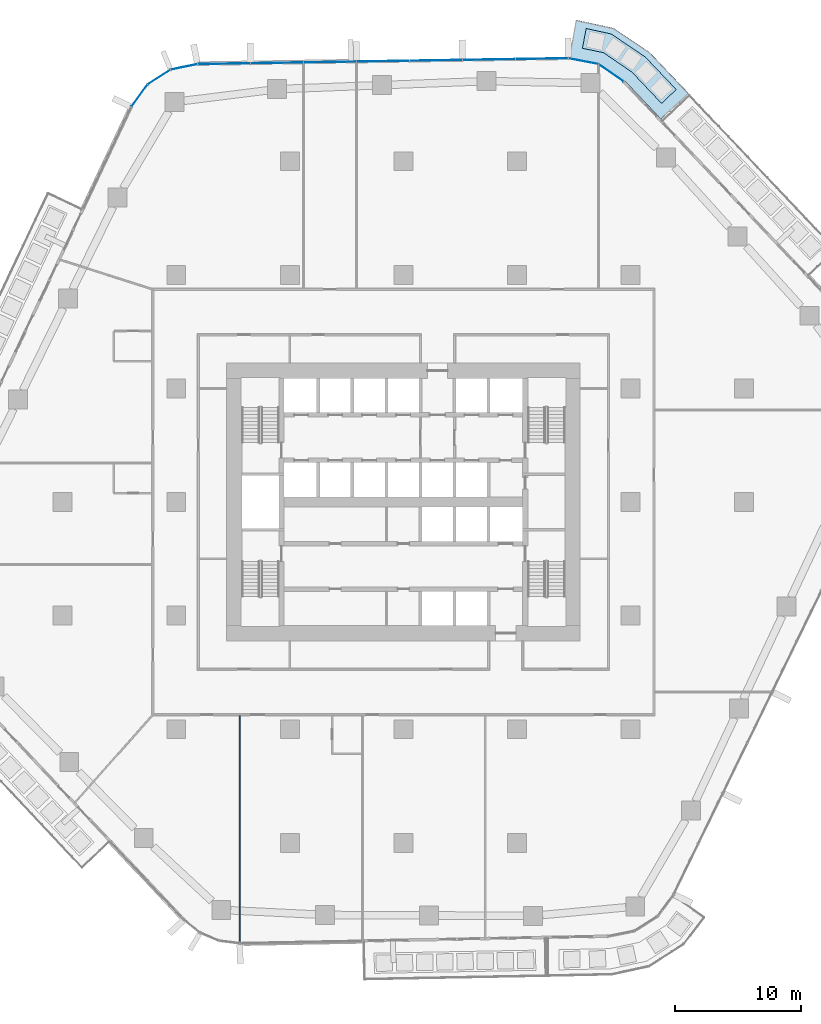
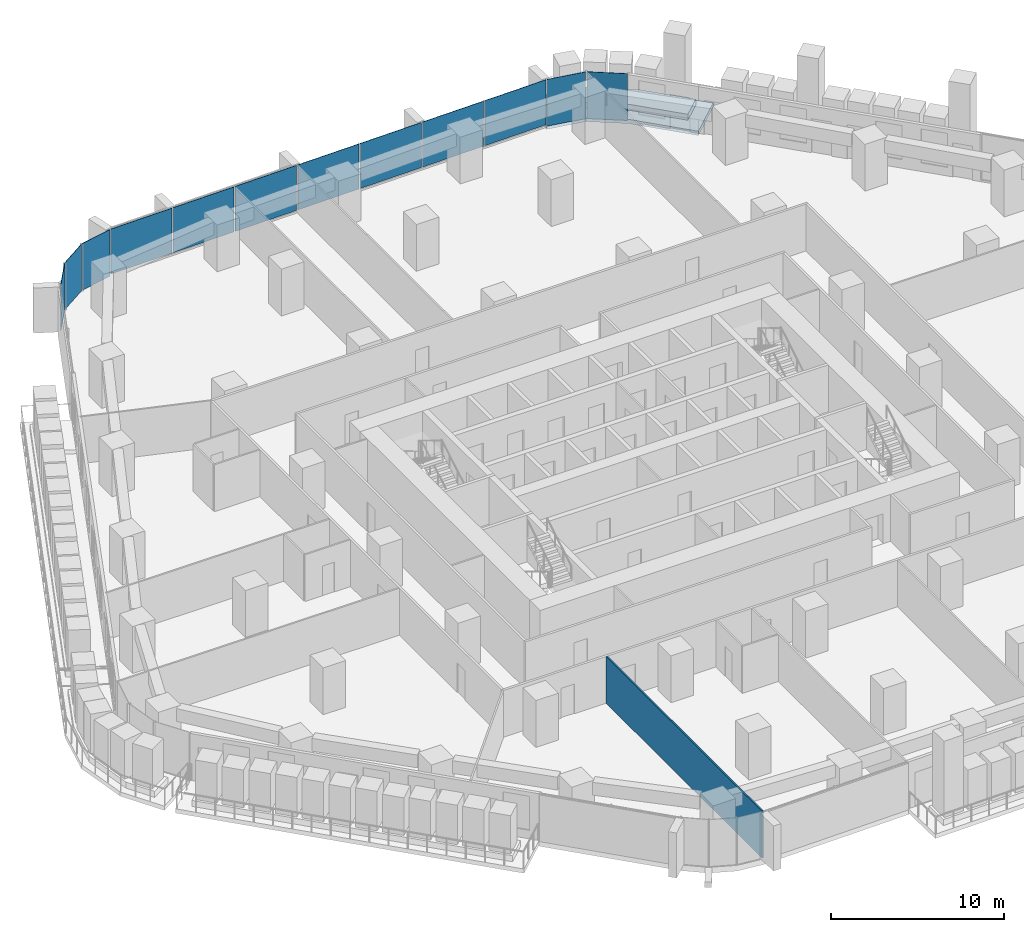
# One storey, part 12 of 25: 12 plates, 2 slabs, 1 wall, 3 elements without a shape of their own.
"""IFC4 building model written with IfcOpenShell, lengths in metres."""

from ifc_helpers import new_model, si_unit, direction, frame, frame_2d, origin, origin_2d, place, context, subcontext, project, spatial, polyline, rectangle, outline, extrude, material, layer, layer_set, type_object, element, aggregate, save


model = new_model("IFC4")

# Units and contexts
model_context = context("Model", 3, precision=1e-05, world=origin(), true_north=direction((0.0, 1.0)))
body_context = subcontext(model_context, "Body", "Model", "MODEL_VIEW")
ifc_project = project(units=[si_unit("LENGTHUNIT", "METRE"), si_unit("AREAUNIT", "SQUARE_METRE"), si_unit("VOLUMEUNIT", "CUBIC_METRE"), si_unit("PLANEANGLEUNIT", "RADIAN"), si_unit("MASSUNIT", "GRAM", prefix="KILO")], contexts=[model_context])

# Site, building, storey
site_placement = place(None, origin())
site = spatial("IfcSite", under=ifc_project, at=site_placement, CompositionType="ELEMENT")
building_placement = place(site_placement, origin())
building = spatial("IfcBuilding", under=site, at=building_placement, Name="Dongbaek Canopy Tower", CompositionType="ELEMENT")
storey_placement = place(building_placement, frame((0.0, 0.0, 81.0)))
storey = spatial("IfcBuildingStorey", under=building, at=storey_placement, Name="L16", CompositionType="ELEMENT", Elevation=81.0)

# Slab
ifc_material_1 = material(Name="Concrete C40/50", Category="concrete")
ifc_layer_1 = layer(ifc_material_1, 0.300048828125)
ifc_layer_set_1 = layer_set([ifc_layer_1], Name="Balcony slab 300")
slab_type_1 = type_object("IfcSlabType", Name="Balcony slab 300", PredefinedType="FLOOR", material=ifc_layer_set_1)
slab_1_placement = place(storey_placement, frame((0.0, 0.0, -0.300048828125)))
element("IfcSlab", 1, at=slab_1_placement, inside=storey, type_object=slab_type_1, Name="Balcony L16 5", PredefinedType="FLOOR", context=body_context, shape_type="SweptSolid", body=[
    extrude(outline(polyline([(20.423828125, 30.3203125), (17.530517578125, 33.380615234375), (15.500732421875, 34.78759765625), (13.125, 35.248291015625), (13.696044921875, 38.193359375), (16.66552734375, 37.55224609375), (19.485595703125, 35.656005859375), (22.603759765625, 32.38134765625), (20.423828125, 30.3203125)])), origin(), (0.0, 0.0, 1.0), 0.300048828125),
])

# Curtain wall, plates
ifc_material_2 = material(Name="Aluminium 6063-T6 pale anodised", Category="aluminium")
ifc_layer_2 = layer(ifc_material_2, 0.199951171875)
ifc_layer_set_2 = layer_set([ifc_layer_2], Name="CW-1 unitised tower curtain wall")
curtain_wall_type = type_object("IfcCurtainWallType", Name="CW-1 unitised tower curtain wall", PredefinedType="NOTDEFINED", material=ifc_layer_set_2)
curtain_wall_1_placement = place(storey_placement, origin())
curtain_wall_1 = element("IfcCurtainWall", 2, at=curtain_wall_1_placement, inside=storey, type_object=curtain_wall_type, Name="CW-1 curtain wall K1.1", PredefinedType="NOTDEFINED")
ifc_material_3 = material(Name="Clear laminated glass", Category="glass")
ifc_layer_3 = layer(ifc_material_3, 0.028076171875)
ifc_layer_set_3 = layer_set([ifc_layer_3], Name="CW-1 glazed panel 28")
plate_type = type_object("IfcPlateType", Name="CW-1 glazed panel 28", PredefinedType="CURTAIN_PANEL", material=ifc_layer_set_3)
plate_1_placement = place(storey_placement, frame((16.462890625, 33.998779296875, 0.0), z_axis=(0.0, 0.0, 1.0), x_axis=(-0.821856706418, 0.56969426372, 0.0)))
plate_1 = element("IfcPlate", 3, at=plate_1_placement, type_object=plate_type, Name="CW-1 panel K1.1.1.1", PredefinedType="CURTAIN_PANEL", context=body_context, shape_type="SweptSolid", body=[
    extrude(rectangle(XDim=2.3544921875, YDim=0.028076171875, at=origin_2d()), origin(), (0.0, 0.0, 1.0), 3.300048828125),
])
plate_2_placement = place(storey_placement, frame((14.263916015625, 34.925537109375, 0.0), z_axis=(0.0, 0.0, 1.0), x_axis=(-0.981714531803, 0.190359076609, 0.0)))
plate_2 = element("IfcPlate", 4, at=plate_2_placement, type_object=plate_type, Name="CW-1 panel K1.1.2.1", PredefinedType="CURTAIN_PANEL", context=body_context, shape_type="SweptSolid", body=[
    extrude(rectangle(XDim=2.3544921875, YDim=0.028076171875, at=origin_2d()), origin(), (0.0, 0.0, 1.0), 3.300048828125),
])
aggregate(curtain_wall_1, [plate_1, plate_2])

curtain_wall_2_placement = place(storey_placement, origin())
curtain_wall_2 = element("IfcCurtainWall", 5, at=curtain_wall_2_placement, inside=storey, type_object=curtain_wall_type, Name="CW-1 curtain wall F1.1", PredefinedType="NOTDEFINED")
plate_3_placement = place(storey_placement, frame((10.97265625, 35.12451171875, 0.1201171875), z_axis=(0.0, 0.0, 1.0), x_axis=(-0.999875576437, -0.015774398409, 0.0)))
plate_3 = element("IfcPlate", 6, at=plate_3_placement, type_object=plate_type, Name="CW-1 panel F1.1.1.1", PredefinedType="CURTAIN_PANEL", context=body_context, shape_type="SweptSolid", body=[
    extrude(rectangle(XDim=4.10546875, YDim=0.028076171875, at=origin_2d()), origin(), (0.0, 0.0, 1.0), 3.179931640625),
])
plate_4_placement = place(storey_placement, frame((6.778564453125, 35.058349609375, 0.1201171875), z_axis=(0.0, 0.0, 1.0), x_axis=(-0.999875576437, -0.015774398409, 0.0)))
plate_4 = element("IfcPlate", 7, at=plate_4_placement, type_object=plate_type, Name="CW-1 panel F1.1.2.1", PredefinedType="CURTAIN_PANEL", context=body_context, shape_type="SweptSolid", body=[
    extrude(rectangle(XDim=4.115966796875, YDim=0.028076171875, at=origin_2d()), origin(), (0.0, 0.0, 1.0), 3.179931640625),
])
plate_5_placement = place(storey_placement, frame((2.5791015625, 34.9921875, 0.1201171875), z_axis=(0.0, 0.0, 1.0), x_axis=(-0.999875576437, -0.015774398409, 0.0)))
plate_5 = element("IfcPlate", 8, at=plate_5_placement, type_object=plate_type, Name="CW-1 panel F1.1.3.1", PredefinedType="CURTAIN_PANEL", context=body_context, shape_type="SweptSolid", body=[
    extrude(rectangle(XDim=4.115966796875, YDim=0.028076171875, at=origin_2d()), origin(), (0.0, 0.0, 1.0), 3.179931640625),
])
plate_6_placement = place(storey_placement, frame((-1.6201171875, 34.92578125, 0.1201171875), z_axis=(0.0, 0.0, 1.0), x_axis=(-0.999875576437, -0.015774398409, 0.0)))
plate_6 = element("IfcPlate", 9, at=plate_6_placement, type_object=plate_type, Name="CW-1 panel F1.1.4.1", PredefinedType="CURTAIN_PANEL", context=body_context, shape_type="SweptSolid", body=[
    extrude(rectangle(XDim=4.115966796875, YDim=0.028076171875, at=origin_2d()), origin(), (0.0, 0.0, 1.0), 3.179931640625),
])
plate_7_placement = place(storey_placement, frame((-5.819580078125, 34.859619140625, 0.1201171875), z_axis=(0.0, 0.0, 1.0), x_axis=(-0.999875576437, -0.015774398409, 0.0)))
plate_7 = element("IfcPlate", 10, at=plate_7_placement, type_object=plate_type, Name="CW-1 panel F1.1.5.1", PredefinedType="CURTAIN_PANEL", context=body_context, shape_type="SweptSolid", body=[
    extrude(rectangle(XDim=4.115966796875, YDim=0.028076171875, at=origin_2d()), origin(), (0.0, 0.0, 1.0), 3.179931640625),
])
plate_8_placement = place(storey_placement, frame((-10.018798828125, 34.79345703125, 0.1201171875), z_axis=(0.0, 0.0, 1.0), x_axis=(-0.999875576437, -0.015774398409, 0.0)))
plate_8 = element("IfcPlate", 11, at=plate_8_placement, type_object=plate_type, Name="CW-1 panel F1.1.6.1", PredefinedType="CURTAIN_PANEL", context=body_context, shape_type="SweptSolid", body=[
    extrude(rectangle(XDim=4.115966796875, YDim=0.028076171875, at=origin_2d()), origin(), (0.0, 0.0, 1.0), 3.179931640625),
])
plate_9_placement = place(storey_placement, frame((-14.213623046875, 34.727294921875, 0.1201171875), z_axis=(0.0, 0.0, 1.0), x_axis=(-0.999875576437, -0.015774398409, 0.0)))
plate_9 = element("IfcPlate", 12, at=plate_9_placement, type_object=plate_type, Name="CW-1 panel F1.1.7.1", PredefinedType="CURTAIN_PANEL", context=body_context, shape_type="SweptSolid", body=[
    extrude(rectangle(XDim=4.1064453125, YDim=0.028076171875, at=origin_2d()), origin(), (0.0, 0.0, 1.0), 3.179931640625),
])
aggregate(curtain_wall_2, [plate_3, plate_4, plate_5, plate_6, plate_7, plate_8, plate_9])

curtain_wall_3_placement = place(storey_placement, origin())
curtain_wall_3 = element("IfcCurtainWall", 13, at=curtain_wall_3_placement, inside=storey, type_object=curtain_wall_type, Name="CW-1 curtain wall K2.1", PredefinedType="NOTDEFINED")
plate_10_placement = place(storey_placement, frame((-17.379638671875, 34.4755859375, 0.0), z_axis=(0.0, 0.0, 1.0), x_axis=(-0.97978998398, -0.200028966133, 0.0)))
plate_10 = element("IfcPlate", 14, at=plate_10_placement, type_object=plate_type, Name="CW-1 panel K2.1.1.1", PredefinedType="CURTAIN_PANEL", context=body_context, shape_type="SweptSolid", body=[
    extrude(rectangle(XDim=2.1025390625, YDim=0.028076171875, at=origin_2d()), origin(), (0.0, 0.0, 1.0), 3.300048828125),
])
plate_11_placement = place(storey_placement, frame((-19.36572265625, 33.6669921875, 0.0), z_axis=(0.0, 0.0, 1.0), x_axis=(-0.840488397568, -0.541829542896, 0.0)))
plate_11 = element("IfcPlate", 15, at=plate_11_placement, type_object=plate_type, Name="CW-1 panel K2.1.2.1", PredefinedType="CURTAIN_PANEL", context=body_context, shape_type="SweptSolid", body=[
    extrude(rectangle(XDim=2.093017578125, YDim=0.028076171875, at=origin_2d()), origin(), (0.0, 0.0, 1.0), 3.300048828125),
])
plate_12_placement = place(storey_placement, frame((-20.922119140625, 32.19189453125, 0.0), z_axis=(0.0, 0.0, 1.0), x_axis=(-0.586684919849, -0.809815290558, 0.0)))
plate_12 = element("IfcPlate", 16, at=plate_12_placement, type_object=plate_type, Name="CW-1 panel K2.1.3.1", PredefinedType="CURTAIN_PANEL", context=body_context, shape_type="SweptSolid", body=[
    extrude(rectangle(XDim=2.1025390625, YDim=0.028076171875, at=origin_2d()), origin(), (0.0, 0.0, 1.0), 3.300048828125),
])
aggregate(curtain_wall_3, [plate_10, plate_11, plate_12])

# Slab
ifc_material_4 = material(Name="Reinforced concrete C40/50 planter box with soil", Category="concrete")
ifc_layer_4 = layer(ifc_material_4, 0.419921875)
ifc_layer_set_4 = layer_set([ifc_layer_4], Name="Terrace planter box 1600 x 420")
slab_type_2 = type_object("IfcSlabType", Name="Terrace planter box 1600 x 420", PredefinedType="USERDEFINED", material=ifc_layer_set_4)
slab_2_placement = place(storey_placement, origin())
element("IfcSlab", 17, at=slab_2_placement, inside=storey, type_object=slab_type_2, Name="Balcony planter L16 5", ObjectType="PLANTER", PredefinedType="USERDEFINED", context=body_context, shape_type="SweptSolid", body=[
    extrude(outline(polyline([(20.4521484375, 31.585693359375), (18.1103515625, 34.0556640625), (15.84619140625, 35.607666015625), (14.177978515625, 35.95068359375), (14.482666015625, 37.521484375), (16.467529296875, 37.082275390625), (19.153076171875, 35.269287109375), (21.61474609375, 32.68505859375), (20.4521484375, 31.585693359375)])), origin(), (0.0, 0.0, 1.0), 0.419921875),
])

# Wall
ifc_material_5 = material(Name="Gypsum board partition, steel stud, 2 x 12.5 mm board", Category="steel")
ifc_layer_5 = layer(ifc_material_5, 0.10009765625)
ifc_layer_set_5 = layer_set([ifc_layer_5], Name="Partition 100 gypsum board")
wall_type = type_object("IfcWallType", Name="Partition 100 gypsum board", PredefinedType="PARTITIONING", material=ifc_layer_set_5)
wall_placement = place(storey_placement, frame((-12.964111328125, -34.935546875, 0.0), z_axis=(0.0, 0.0, 1.0), x_axis=(0.0, 1.0, 0.0)))
element("IfcWall", 18, at=wall_placement, inside=storey, type_object=wall_type, Name="Partition", PredefinedType="PARTITIONING", context=body_context, shape_type="SweptSolid", body=[
    extrude(rectangle(XDim=18.010498046875, YDim=0.10009765625, at=frame_2d((9.00537109375, 0.0))), origin(), (0.0, 0.0, 1.0), 3.300048828125),
])

save(model, "model.ifc")
